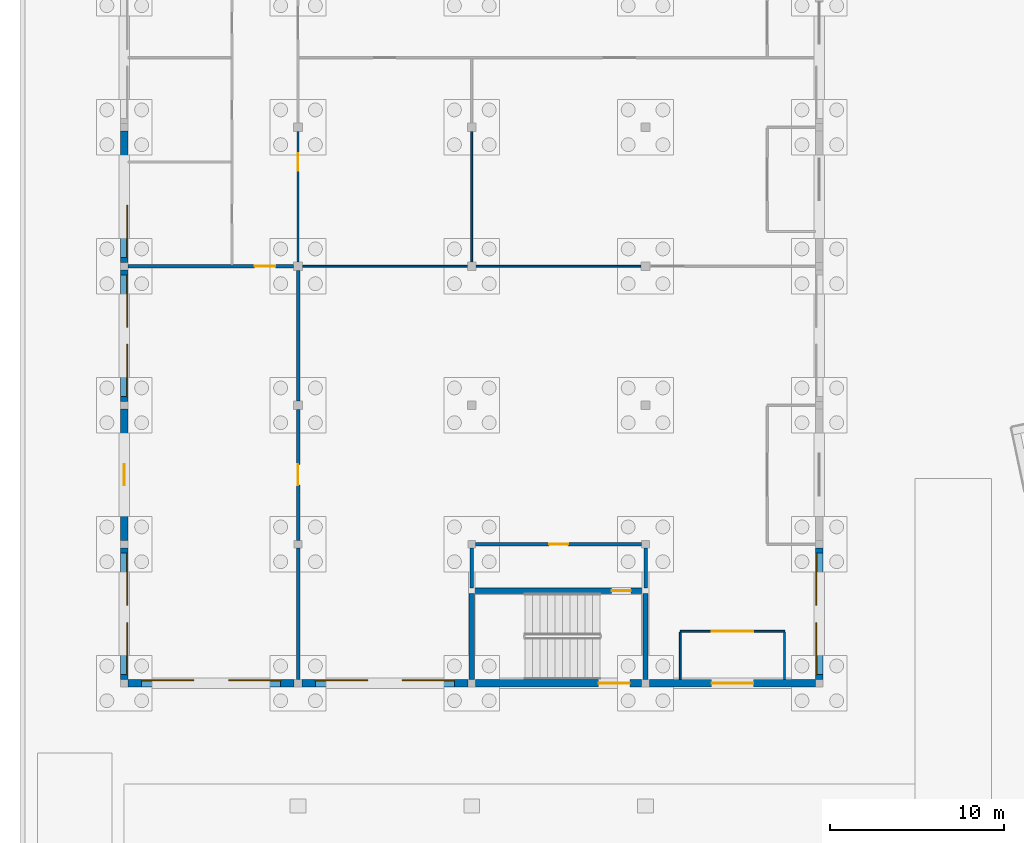
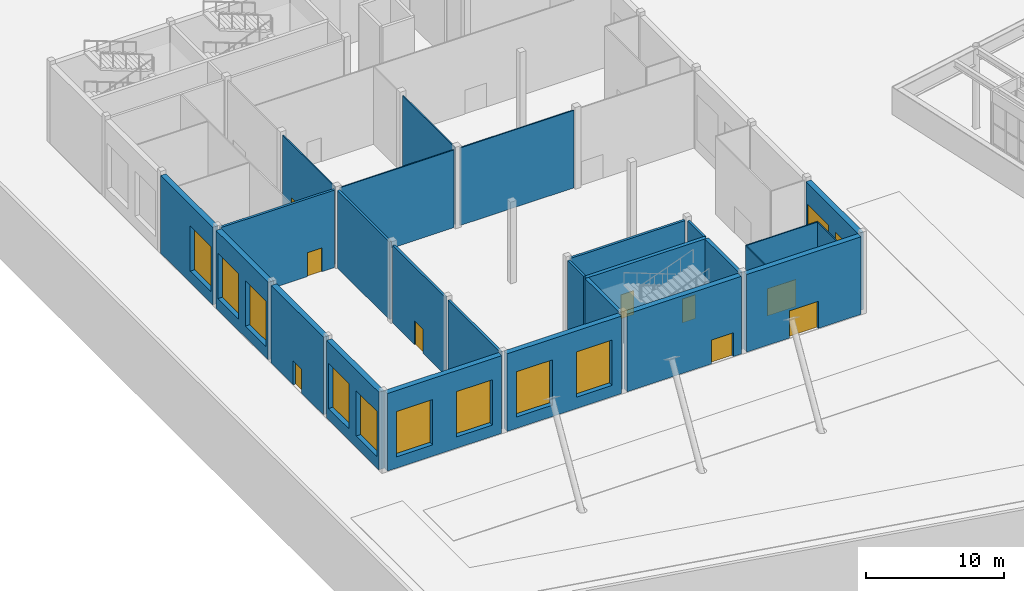
# One storey, part 164 of 239: 26 walls, 11 windows, 9 doors, 20 openings.
"""IFC4 building model written with IfcOpenShell, lengths in metres."""

import ifcopenshell
import ifcopenshell.guid

model = None  # the IFC model being written
_history = None  # IfcOwnerHistory: only IFC2X3 demands one
_inside = {}  # id of a spatial element -> (the spatial element, [elements in it])
_under = {}  # id of a project, library or spatial element -> (it, [spatial elements below it])
_declared = {}  # id of a project -> (the project, [libraries it declares])
_typed = {}  # id of a type object -> (the type object, [elements of that type])
_made_of = {}  # id of a material, layer set ... -> (it, [elements and type objects made of it])


def new_model(schema):
    """Start an empty IFC model of exactly this schema.

    Asked for "IFC4X3", IfcOpenShell would pick the latest addendum, in which some entities
    have other attributes; the version numbers below select the first issue.
    IFC2X3 requires an IfcOwnerHistory on every rooted entity: one is made here for all.
    """
    global model, _history
    if schema == "IFC4X3":
        model = ifcopenshell.file(schema_version=(4, 3, 0, 0))
    else:
        model = ifcopenshell.file(schema=schema)
    _inside.clear()
    _under.clear()
    _declared.clear()
    _typed.clear()
    _made_of.clear()
    _history = None
    if model.schema == "IFC2X3":
        org = make("IfcOrganization", Name="unknown")
        user = make(
            "IfcPersonAndOrganization",
            ThePerson=make("IfcPerson", FamilyName="unknown"),
            TheOrganization=org,
        )
        app = make(
            "IfcApplication",
            ApplicationDeveloper=org,
            Version="unknown",
            ApplicationFullName="unknown",
            ApplicationIdentifier="unknown",
        )
        _history = make(
            "IfcOwnerHistory",
            OwningUser=user,
            OwningApplication=app,
            ChangeAction="ADDED",
            CreationDate=0,
        )
    return model


def make(cls, **values):
    """One entity of the class cls with the attributes given. An attribute that is None is left unset."""
    return model.create_entity(
        cls, **{name: value for name, value in values.items() if value is not None}
    )


def rooted(cls, **values):
    """An entity with a GlobalId (a new one), such as an element, a storey or a relation."""
    return make(cls, GlobalId=ifcopenshell.guid.new(), OwnerHistory=_history, **values)


def si_unit(unit_type, name, prefix=None):
    """IfcSIUnit, for example si_unit("LENGTHUNIT", "METRE", prefix="MILLI")."""
    return make("IfcSIUnit", UnitType=unit_type, Prefix=prefix, Name=name)


def assignment(units):
    """IfcUnitAssignment: the units of a project."""
    return None if units is None else make("IfcUnitAssignment", Units=units)


def point(xyz):
    """IfcCartesianPoint."""
    return None if xyz is None else make("IfcCartesianPoint", Coordinates=xyz)


def direction(xyz):
    """IfcDirection."""
    return None if xyz is None else make("IfcDirection", DirectionRatios=xyz)


def frame(location, z_axis=None, x_axis=None):
    """IfcAxis2Placement3D, a coordinate frame: its origin and axes. An axis left out is left unset."""
    return make(
        "IfcAxis2Placement3D",
        Location=point(location),
        Axis=direction(z_axis),
        RefDirection=direction(x_axis),
    )


def frame_2d(location, x_axis=None):
    """IfcAxis2Placement2D, a coordinate frame in the plane: its origin and x axis."""
    return make(
        "IfcAxis2Placement2D", Location=point(location), RefDirection=direction(x_axis)
    )


def origin():
    """The frame at (0, 0, 0) with its axes left unset."""
    return frame((0.0, 0.0, 0.0))


def place(relative_to, where):
    """IfcLocalPlacement: puts the frame where relative to a parent placement (None: the world)."""
    return make(
        "IfcLocalPlacement", PlacementRelTo=relative_to, RelativePlacement=where
    )


def context(
    kind, dimensions, precision=None, world=None, true_north=None, identifier=None
):
    """IfcGeometricRepresentationContext, for example the 3D "Model" context."""
    return make(
        "IfcGeometricRepresentationContext",
        ContextIdentifier=identifier,
        ContextType=kind,
        CoordinateSpaceDimension=dimensions,
        Precision=precision,
        WorldCoordinateSystem=world,
        TrueNorth=true_north,
    )


def subcontext(parent, identifier, kind, view, scale=None):
    """IfcGeometricRepresentationSubContext, for example "Body" below "Model"."""
    return make(
        "IfcGeometricRepresentationSubContext",
        ContextIdentifier=identifier,
        ContextType=kind,
        ParentContext=parent,
        TargetScale=scale,
        TargetView=view,
    )


def project(units=None, contexts=None):
    """IfcProject with its units and contexts."""
    return rooted(
        "IfcProject",
        Name="project",
        RepresentationContexts=contexts,
        UnitsInContext=assignment(units),
    )


def spatial(cls, under=None, at=None, **own):
    """A site, building, storey or space (cls), placed at a placement, below another one or the project."""
    s = rooted(cls, ObjectPlacement=at, **own)
    if under is not None:
        _under.setdefault(under.id(), (under, []))[1].append(s)
    return s


def profile(cls, at=None, kind="AREA", **sizes):
    """A parametric profile (cls). Its sizes go by their IFC names, for example OverallWidth=200.0."""
    return make(cls, ProfileType=kind, Position=at, **sizes)


def rectangle(**sizes):
    """IfcRectangleProfileDef."""
    return profile("IfcRectangleProfileDef", **sizes)


def extrude(swept, where, along, depth):
    """IfcExtrudedAreaSolid: the profile swept, set in the frame where, extruded along a direction by depth."""
    return make(
        "IfcExtrudedAreaSolid",
        SweptArea=swept,
        Position=where,
        ExtrudedDirection=direction(along),
        Depth=depth,
    )


def shape(context_of_items, identifier, shape_type, items):
    """IfcShapeRepresentation: the items that make up one representation, for example the "Body"."""
    return make(
        "IfcShapeRepresentation",
        ContextOfItems=context_of_items,
        RepresentationIdentifier=identifier,
        RepresentationType=shape_type,
        Items=items,
    )


def material(Name=None, Category=None):
    """IfcMaterial."""
    return make("IfcMaterial", Name=Name, Category=Category)


def layer(
    of_material, thickness, ventilated=None, Name=None, Category=None, Priority=None
):
    """IfcMaterialLayer: one layer of a wall or slab, of a material (None: an air gap)."""
    return make(
        "IfcMaterialLayer",
        Material=of_material,
        LayerThickness=thickness,
        IsVentilated=ventilated,
        Name=Name,
        Category=Category,
        Priority=Priority,
    )


def layer_set(layers, Name=None):
    """IfcMaterialLayerSet."""
    return make("IfcMaterialLayerSet", MaterialLayers=layers, LayerSetName=Name)


def made_of(thing, what):
    """Note that an element or type object is made of a material, layer set ...; save() writes the relation."""
    if what is not None:
        _made_of.setdefault(what.id(), (what, []))[1].append(thing)
    return thing


def type_object(cls, material=None, **own):
    """A type object (cls), such as IfcWallType, which elements share."""
    return made_of(rooted(cls, **own), material)


def element(
    cls,
    number,
    at=None,
    inside=None,
    cuts=None,
    type_object=None,
    material=None,
    context=None,
    identifier="Body",
    shape_type=None,
    held_by="IfcProductDefinitionShape",
    body=None,
    shapes=None,
    **own,
):
    """One element of the class cls, such as IfcWall. Its Tag is "e" and its number.

    at: its placement. inside: the storey or other place that contains it. cuts: it is an
    opening in that element (IfcRelVoidsElement). A single representation is given by context,
    identifier, shape_type and body (its items); several are given by shapes. held_by: the class
    of the entity that holds the representations. save() writes the other relations.
    """
    e = rooted(cls, Tag="e%d" % number, ObjectPlacement=at, **own)
    if body is not None:
        shapes = [shape(context, identifier, shape_type, body)]
    if shapes is not None:
        e.Representation = make(held_by, Representations=shapes)
    if inside is not None:
        _inside.setdefault(inside.id(), (inside, []))[1].append(e)
    if cuts is not None:
        rooted(
            "IfcRelVoidsElement", RelatingBuildingElement=cuts, RelatedOpeningElement=e
        )
    if type_object is not None:
        _typed.setdefault(type_object.id(), (type_object, []))[1].append(e)
    return made_of(e, material)


def fill(opening, filler):
    """IfcRelFillsElement: the door or window that sits in an opening."""
    return rooted(
        "IfcRelFillsElement",
        RelatingOpeningElement=opening,
        RelatedBuildingElement=filler,
    )


def aggregate(whole, parts):
    """IfcRelAggregates: a whole, such as a stair, and the parts it consists of."""
    return rooted("IfcRelAggregates", RelatingObject=whole, RelatedObjects=parts)


def save(model, path):
    """Write the relations noted so far, then the file.

    IfcRelAggregates (storeys below a building ...), IfcRelContainedInSpatialStructure (elements
    in a storey), IfcRelDefinesByType, IfcRelAssociatesMaterial and IfcRelDeclares: one each for
    every whole, place, type object, material and project.
    """
    for whole, parts in _under.values():
        aggregate(whole, parts)
    for where, things in _inside.values():
        rooted(
            "IfcRelContainedInSpatialStructure",
            RelatedElements=things,
            RelatingStructure=where,
        )
    for kind, things in _typed.values():
        rooted("IfcRelDefinesByType", RelatedObjects=things, RelatingType=kind)
    for what, things in _made_of.values():
        rooted("IfcRelAssociatesMaterial", RelatedObjects=things, RelatingMaterial=what)
    for by, libraries in _declared.values():
        rooted("IfcRelDeclares", RelatingContext=by, RelatedDefinitions=libraries)
    model.write(path)


model = new_model("IFC4")

# Units and contexts
model_context = context("Model", 3, precision=1e-05, world=origin(), true_north=direction((0.0, 1.0)))
body_context = subcontext(model_context, "Body", "Model", "MODEL_VIEW")
ifc_project = project(units=[si_unit("LENGTHUNIT", "METRE"), si_unit("AREAUNIT", "SQUARE_METRE"), si_unit("VOLUMEUNIT", "CUBIC_METRE"), si_unit("PLANEANGLEUNIT", "RADIAN"), si_unit("MASSUNIT", "GRAM", prefix="KILO")], contexts=[model_context])

# Site, building, storey
site_placement = place(None, origin())
site = spatial("IfcSite", under=ifc_project, at=site_placement, CompositionType="ELEMENT")
building_placement = place(site_placement, origin())
building = spatial("IfcBuilding", under=site, at=building_placement, Name="Okhra Congress Centre", CompositionType="ELEMENT")
storey_placement = place(building_placement, origin())
storey = spatial("IfcBuildingStorey", under=building, at=storey_placement, Name="L00", CompositionType="ELEMENT", Elevation=0.0)

# Wall, opening, door
ifc_material_1 = material(Name="Masonry blockwork (aerated concrete D500)", Category="masonry")
ifc_layer_1 = layer(ifc_material_1, 0.199951171875)
ifc_layer_set_1 = layer_set([ifc_layer_1], Name="Masonry block wall 200 EI 45")
wall_type_1 = type_object("IfcWallType", Name="Masonry block wall 200 EI 45", PredefinedType="SOLIDWALL", material=ifc_layer_set_1)
wall_1_placement = place(storey_placement, frame((26.22509765625, 44.0, 0.0), z_axis=(0.0, 0.0, 1.0), x_axis=(1.0, 0.0, 0.0)))
wall_1 = element("IfcWall", 1, at=wall_1_placement, inside=storey, type_object=wall_type_1, Name="RS.WALL.L00.7", PredefinedType="SOLIDWALL", context=body_context, shape_type="SweptSolid", body=[
    extrude(rectangle(XDim=9.5498046875, YDim=0.199951171875, at=frame_2d((4.77490234375, 0.0))), origin(), (0.0, 0.0, 1.0), 6.85009765625),
])
opening_1_placement = place(wall_1_placement, frame((4.22509765625, 0.0, 0.0)))
opening_1 = element("IfcOpeningElement", 2, at=opening_1_placement, cuts=wall_1, Name="Opening L00-174", PredefinedType="OPENING", context=body_context, shape_type="SweptSolid", body=[
    extrude(rectangle(XDim=1.10009765625, YDim=2.10009765625, at=frame_2d((0.550048828125, 1.050048828125))), frame((0.0, 0.10986328125, 0.0), z_axis=(0.0, -1.0, 0.0), x_axis=(1.0, 0.0, 0.0)), (0.0, 0.0, 1.0), 0.219970703125),
])
ifc_material_2 = material(Name="Steel fire door leaf in steel frame, intumescent seals", Category="steel")
door_type_1 = type_object("IfcDoorType", Name="Steel fire door 1100x2100 EI 30", OperationType="NOTDEFINED", PredefinedType="DOOR", material=ifc_material_2)
door_1_placement = place(opening_1_placement, frame((1.10009765625, 0.0, 0.0), z_axis=(0.0, 0.0, 1.0), x_axis=(-1.0, 0.0, 0.0)))
door_1 = element("IfcDoor", 3, at=door_1_placement, inside=storey, type_object=door_type_1, Name="Door L00-174", OperationType="SINGLE_SWING_RIGHT", OverallHeight=2.10009765625, OverallWidth=1.10009765625, PredefinedType="DOOR", context=body_context, shape_type="SweptSolid", body=[
    extrude(rectangle(XDim=1.10009765625, YDim=2.10009765625, at=frame_2d((0.550048828125, 1.050048828125))), frame((0.0, 0.02490234375, 0.0), z_axis=(0.0, -1.0, 0.0), x_axis=(1.0, 0.0, 0.0)), (0.0, 0.0, 1.0), 0.050048828125),
])
fill(opening_1, door_1)

wall_2_placement = place(storey_placement, frame((6.22509765625, 60.0, 0.0), z_axis=(0.0, 0.0, 1.0), x_axis=(1.0, 0.0, 0.0)))
wall_2 = element("IfcWall", 4, at=wall_2_placement, inside=storey, type_object=wall_type_1, Name="RS.WALL.L00.10", PredefinedType="SOLIDWALL", context=body_context, shape_type="SweptSolid", body=[
    extrude(rectangle(XDim=9.52490234375, YDim=0.199951171875, at=frame_2d((4.762451171875, 0.0))), origin(), (0.0, 0.0, 1.0), 6.85009765625),
])
opening_2_placement = place(wall_2_placement, frame((7.27490234375, 0.0, 0.0)))
opening_2 = element("IfcOpeningElement", 5, at=opening_2_placement, cuts=wall_2, Name="Opening L00-179", PredefinedType="OPENING", context=body_context, shape_type="SweptSolid", body=[
    extrude(rectangle(XDim=1.199951171875, YDim=2.10009765625, at=frame_2d((0.60009765625, 1.050048828125))), frame((0.0, 0.10986328125, 0.0), z_axis=(0.0, -1.0, 0.0), x_axis=(1.0, 0.0, 0.0)), (0.0, 0.0, 1.0), 0.219970703125),
])
door_type_2 = type_object("IfcDoorType", Name="Steel fire door 1200x2100 EI 30", OperationType="NOTDEFINED", PredefinedType="DOOR", material=ifc_material_2)
door_2_placement = place(opening_2_placement, origin())
door_2 = element("IfcDoor", 6, at=door_2_placement, inside=storey, type_object=door_type_2, Name="Door L00-179", OperationType="SINGLE_SWING_RIGHT", OverallHeight=2.10009765625, OverallWidth=1.199951171875, PredefinedType="DOOR", context=body_context, shape_type="SweptSolid", body=[
    extrude(rectangle(XDim=1.199951171875, YDim=2.10009765625, at=frame_2d((0.60009765625, 1.050048828125))), frame((0.0, 0.02490234375, 0.0), z_axis=(0.0, -1.0, 0.0), x_axis=(1.0, 0.0, 0.0)), (0.0, 0.0, 1.0), 0.050048828125),
])
fill(opening_2, door_2)

# Wall
wall_3_placement = place(storey_placement, frame((16.0, 36.22509765625, 0.0), z_axis=(0.0, 0.0, 1.0), x_axis=(0.0, 1.0, 0.0)))
element("IfcWall", 7, at=wall_3_placement, inside=storey, type_object=wall_type_1, Name="RS.WALL.L00.37", PredefinedType="SOLIDWALL", context=body_context, shape_type="SweptSolid", body=[
    extrude(rectangle(XDim=7.5498046875, YDim=0.199951171875, at=frame_2d((3.77490234375, 0.0))), origin(), (0.0, 0.0, 1.0), 6.85009765625),
])

# Wall, opening, door
wall_4_placement = place(storey_placement, frame((16.0, 44.22509765625, 0.0), z_axis=(0.0, 0.0, 1.0), x_axis=(0.0, 1.0, 0.0)))
wall_4 = element("IfcWall", 8, at=wall_4_placement, inside=storey, type_object=wall_type_1, Name="RS.WALL.L00.38", PredefinedType="SOLIDWALL", context=body_context, shape_type="SweptSolid", body=[
    extrude(rectangle(XDim=7.52490234375, YDim=0.199951171875, at=frame_2d((3.762451171875, 0.0))), origin(), (0.0, 0.0, 1.0), 6.85009765625),
])
opening_3_placement = place(wall_4_placement, frame((3.175048828125, 0.0, 0.0)))
opening_3 = element("IfcOpeningElement", 9, at=opening_3_placement, cuts=wall_4, Name="Opening L00-180", PredefinedType="OPENING", context=body_context, shape_type="SweptSolid", body=[
    extrude(rectangle(XDim=1.199951171875, YDim=2.10009765625, at=frame_2d((0.60009765625, 1.050048828125))), frame((0.0, 0.10986328125, 0.0), z_axis=(0.0, -1.0, 0.0), x_axis=(1.0, 0.0, 0.0)), (0.0, 0.0, 1.0), 0.219970703125),
])
door_3_placement = place(opening_3_placement, frame((1.199951171875, 0.0, 0.0), z_axis=(0.0, 0.0, 1.0), x_axis=(-1.0, 0.0, 0.0)))
door_3 = element("IfcDoor", 10, at=door_3_placement, inside=storey, type_object=door_type_2, Name="Door L00-180", OperationType="SINGLE_SWING_RIGHT", OverallHeight=2.10009765625, OverallWidth=1.199951171875, PredefinedType="DOOR", context=body_context, shape_type="SweptSolid", body=[
    extrude(rectangle(XDim=1.199951171875, YDim=2.10009765625, at=frame_2d((0.60009765625, 1.050048828125))), frame((0.0, 0.02490234375, 0.0), z_axis=(0.0, -1.0, 0.0), x_axis=(1.0, 0.0, 0.0)), (0.0, 0.0, 1.0), 0.050048828125),
])
fill(opening_3, door_3)

# Walls
wall_5_placement = place(storey_placement, frame((16.0, 52.25, 0.0), z_axis=(0.0, 0.0, 1.0), x_axis=(0.0, 1.0, 0.0)))
element("IfcWall", 11, at=wall_5_placement, inside=storey, type_object=wall_type_1, Name="RS.WALL.L00.39", PredefinedType="SOLIDWALL", context=body_context, shape_type="SweptSolid", body=[
    extrude(rectangle(XDim=7.5, YDim=0.199951171875, at=frame_2d((3.75, 0.0))), origin(), (0.0, 0.0, 1.0), 6.85009765625),
])
for number, where, z_axis, x_axis, name in (
    (12, (26.0, 41.47509765625, 0.0), (0.0, 0.0, 1.0), (0.0, 1.0, 0.0), "RS.WALL.L00.45"),
    (13, (36.0, 41.47509765625, 0.0), (0.0, 0.0, 1.0), (0.0, 1.0, 0.0), "RS.WALL.L00.53"),
):
    element("IfcWall", number, at=place(storey_placement, frame(where, z_axis=z_axis, x_axis=x_axis)), inside=storey, type_object=wall_type_1, Name=name, PredefinedType="SOLIDWALL", context=body_context, shape_type="SweptSolid", body=[
        extrude(rectangle(XDim=2.2998046875, YDim=0.199951171875, at=frame_2d((1.14990234375, 0.0))), origin(), (0.0, 0.0, 1.0), 6.85009765625),
    ])

# Wall, opening, door
ifc_material_3 = material(Name="Gypsum board on steel studs", Category="steel")
ifc_layer_2 = layer(ifc_material_3, 0.10009765625)
ifc_layer_set_2 = layer_set([ifc_layer_2], Name="Partition 100 EI 15")
wall_type_2 = type_object("IfcWallType", Name="Partition 100 EI 15", PredefinedType="PARTITIONING", material=ifc_layer_set_2)
wall_6_placement = place(storey_placement, frame((38.0, 39.0, 0.0), z_axis=(0.0, 0.0, 1.0), x_axis=(1.0, 0.0, 0.0)))
wall_6 = element("IfcWall", 14, at=wall_6_placement, inside=storey, type_object=wall_type_2, Name="RS.WALL.L00.5", PredefinedType="PARTITIONING", context=body_context, shape_type="SweptSolid", body=[
    extrude(rectangle(XDim=6.0, YDim=0.10009765625, at=frame_2d((3.0, 0.0))), origin(), (0.0, 0.0, 1.0), 6.85009765625),
])
opening_4_placement = place(wall_6_placement, frame((1.800048828125, 0.0, 0.0)))
opening_4 = element("IfcOpeningElement", 15, at=opening_4_placement, cuts=wall_6, Name="Opening L00-188", PredefinedType="OPENING", context=body_context, shape_type="SweptSolid", body=[
    extrude(rectangle(XDim=2.39990234375, YDim=2.39990234375, at=frame_2d((1.199951171875, 1.199951171875))), frame((0.0, 0.06005859375, 0.0), z_axis=(0.0, -1.0, 0.0), x_axis=(1.0, 0.0, 0.0)), (0.0, 0.0, 1.0), 0.1201171875),
])
ifc_material_4 = material(Name="Aluminium-framed toughened glass door leaves", Category="aluminium")
door_type_3 = type_object("IfcDoorType", Name="Aluminium glazed door pair 2400x2400", OperationType="NOTDEFINED", PredefinedType="DOOR", material=ifc_material_4)
door_4_placement = place(opening_4_placement, frame((2.39990234375, 0.0, 0.0), z_axis=(0.0, 0.0, 1.0), x_axis=(-1.0, 0.0, 0.0)))
door_4 = element("IfcDoor", 16, at=door_4_placement, inside=storey, type_object=door_type_3, Name="Door L00-188", OperationType="DOUBLE_DOOR_SINGLE_SWING", OverallHeight=2.39990234375, OverallWidth=2.39990234375, PredefinedType="DOOR", context=body_context, shape_type="SweptSolid", body=[
    extrude(rectangle(XDim=2.39990234375, YDim=2.39990234375, at=frame_2d((1.199951171875, 1.199951171875))), frame((0.0, 0.02490234375, 0.0), z_axis=(0.0, -1.0, 0.0), x_axis=(1.0, 0.0, 0.0)), (0.0, 0.0, 1.0), 0.050048828125),
])
fill(opening_4, door_4)

# Walls
for number, where, z_axis, x_axis, name in (
    (17, (16.25, 60.0, 0.0), (0.0, 0.0, 1.0), (1.0, 0.0, 0.0), "RS.WALL.L00.11"),
    (18, (26.25, 60.0, 0.0), (0.0, 0.0, 1.0), (1.0, 0.0, 0.0), "RS.WALL.L00.12"),
):
    element("IfcWall", number, at=place(storey_placement, frame(where, z_axis=z_axis, x_axis=x_axis)), inside=storey, type_object=wall_type_2, Name=name, PredefinedType="PARTITIONING", context=body_context, shape_type="SweptSolid", body=[
        extrude(rectangle(XDim=9.5, YDim=0.10009765625, at=frame_2d((4.75, 0.0))), origin(), (0.0, 0.0, 1.0), 6.85009765625),
    ])

# Wall, opening, door
wall_7_placement = place(storey_placement, frame((16.0, 60.25, 0.0), z_axis=(0.0, 0.0, 1.0), x_axis=(0.0, 1.0, 0.0)))
wall_7 = element("IfcWall", 19, at=wall_7_placement, inside=storey, type_object=wall_type_2, Name="RS.WALL.L00.40", PredefinedType="PARTITIONING", context=body_context, shape_type="SweptSolid", body=[
    extrude(rectangle(XDim=7.5, YDim=0.10009765625, at=frame_2d((3.75, 0.0))), origin(), (0.0, 0.0, 1.0), 6.85009765625),
])
opening_5_placement = place(wall_7_placement, frame((5.25, 0.0, 0.0)))
opening_5 = element("IfcOpeningElement", 20, at=opening_5_placement, cuts=wall_7, Name="Opening L00-181", PredefinedType="OPENING", context=body_context, shape_type="SweptSolid", body=[
    extrude(rectangle(XDim=1.0, YDim=2.10009765625, at=frame_2d((0.5, 1.050048828125))), frame((0.0, 0.06005859375, 0.0), z_axis=(0.0, -1.0, 0.0), x_axis=(1.0, 0.0, 0.0)), (0.0, 0.0, 1.0), 0.1201171875),
])
ifc_material_5 = material(Name="Timber door leaf in steel frame", Category="steel")
door_type_4 = type_object("IfcDoorType", Name="Single swing door 1000x2100", OperationType="NOTDEFINED", PredefinedType="DOOR", material=ifc_material_5)
door_5_placement = place(opening_5_placement, origin())
door_5 = element("IfcDoor", 21, at=door_5_placement, inside=storey, type_object=door_type_4, Name="Door L00-181", OperationType="SINGLE_SWING_RIGHT", OverallHeight=2.10009765625, OverallWidth=1.0, PredefinedType="DOOR", context=body_context, shape_type="SweptSolid", body=[
    extrude(rectangle(XDim=1.0, YDim=2.10009765625, at=frame_2d((0.5, 1.050048828125))), frame((0.0, 0.02490234375, 0.0), z_axis=(0.0, -1.0, 0.0), x_axis=(1.0, 0.0, 0.0)), (0.0, 0.0, 1.0), 0.050048828125),
])
fill(opening_5, door_5)

# Walls
wall_8_placement = place(storey_placement, frame((26.0, 60.25, 0.0), z_axis=(0.0, 0.0, 1.0), x_axis=(0.0, 1.0, 0.0)))
element("IfcWall", 22, at=wall_8_placement, inside=storey, type_object=wall_type_2, Name="RS.WALL.L00.46", PredefinedType="PARTITIONING", context=body_context, shape_type="SweptSolid", body=[
    extrude(rectangle(XDim=7.5, YDim=0.10009765625, at=frame_2d((3.75, 0.0))), origin(), (0.0, 0.0, 1.0), 6.85009765625),
])
for number, where, z_axis, x_axis, name in (
    (23, (38.0, 36.22509765625, 0.0), (0.0, 0.0, 1.0), (0.0, 1.0, 0.0), "RS.WALL.L00.56"),
    (24, (44.0, 36.22509765625, 0.0), (0.0, 0.0, 1.0), (0.0, 1.0, 0.0), "RS.WALL.L00.60"),
):
    element("IfcWall", number, at=place(storey_placement, frame(where, z_axis=z_axis, x_axis=x_axis)), inside=storey, type_object=wall_type_2, Name=name, PredefinedType="PARTITIONING", context=body_context, shape_type="SweptSolid", body=[
        extrude(rectangle(XDim=2.724853515625, YDim=0.10009765625, at=frame_2d((1.3623046875, 0.0))), origin(), (0.0, 0.0, 1.0), 6.85009765625),
    ])

# Wall, opening, door
ifc_material_6 = material(Name="Concrete C35/45", Category="concrete")
ifc_layer_3 = layer(ifc_material_6, 0.300048828125)
ifc_layer_set_3 = layer_set([ifc_layer_3], Name="RC core wall 300 REI 120 C35/45")
wall_type_3 = type_object("IfcWallType", Name="RC core wall 300 REI 120 C35/45", PredefinedType="SHEAR", material=ifc_layer_set_3)
wall_9_placement = place(storey_placement, frame((26.0, 41.324951171875, 0.0), z_axis=(0.0, 0.0, 1.0), x_axis=(1.0, 0.0, 0.0)))
wall_9 = element("IfcWall", 25, at=wall_9_placement, inside=storey, type_object=wall_type_3, Name="RS.WALL.L00.6", PredefinedType="SHEAR", context=body_context, shape_type="SweptSolid", body=[
    extrude(rectangle(XDim=10.0, YDim=0.300048828125, at=frame_2d((5.0, 0.0))), origin(), (0.0, 0.0, 1.0), 6.85009765625),
])
opening_6_placement = place(wall_9_placement, frame((8.050048828125, 0.0, 0.0)))
opening_6 = element("IfcOpeningElement", 26, at=opening_6_placement, cuts=wall_9, Name="Opening L00-175", PredefinedType="OPENING", context=body_context, shape_type="SweptSolid", body=[
    extrude(rectangle(XDim=1.10009765625, YDim=2.10009765625, at=frame_2d((0.550048828125, 1.050048828125))), frame((0.0, 0.159912109375, 0.0), z_axis=(0.0, -1.0, 0.0), x_axis=(1.0, 0.0, 0.0)), (0.0, 0.0, 1.0), 0.320068359375),
])
door_6_placement = place(opening_6_placement, frame((1.10009765625, 0.0, 0.0), z_axis=(0.0, 0.0, 1.0), x_axis=(-1.0, 0.0, 0.0)))
door_6 = element("IfcDoor", 27, at=door_6_placement, inside=storey, type_object=door_type_1, Name="Door L00-175", OperationType="SINGLE_SWING_LEFT", OverallHeight=2.10009765625, OverallWidth=1.10009765625, PredefinedType="DOOR", context=body_context, shape_type="SweptSolid", body=[
    extrude(rectangle(XDim=1.10009765625, YDim=2.10009765625, at=frame_2d((0.550048828125, 1.050048828125))), frame((0.0, 0.02490234375, 0.0), z_axis=(0.0, -1.0, 0.0), x_axis=(1.0, 0.0, 0.0)), (0.0, 0.0, 1.0), 0.050048828125),
])
fill(opening_6, door_6)

# Walls
for number, where, z_axis, x_axis, name in (
    (28, (26.0, 36.22509765625, 0.0), (0.0, 0.0, 1.0), (0.0, 1.0, 0.0), "RS.WALL.L00.44"),
    (29, (36.0, 36.22509765625, 0.0), (0.0, 0.0, 1.0), (0.0, 1.0, 0.0), "RS.WALL.L00.52"),
):
    element("IfcWall", number, at=place(storey_placement, frame(where, z_axis=z_axis, x_axis=x_axis)), inside=storey, type_object=wall_type_3, Name=name, PredefinedType="SHEAR", context=body_context, shape_type="SweptSolid", body=[
        extrude(rectangle(XDim=4.949951171875, YDim=0.300048828125, at=frame_2d((2.47509765625, 0.0))), origin(), (0.0, 0.0, 1.0), 6.85009765625),
    ])

# Wall, opening, door
ifc_material_7 = material(Name="Concrete C30/37", Category="concrete")
ifc_layer_4 = layer(ifc_material_7, 0.449951171875)
ifc_layer_set_4 = layer_set([ifc_layer_4], Name="RC facade wall 450 REI 120 C30/37")
wall_type_4 = type_object("IfcWallType", Name="RC facade wall 450 REI 120 C30/37", PredefinedType="SOLIDWALL", material=ifc_layer_set_4)
wall_10_placement = place(storey_placement, frame((26.22509765625, 36.0, 0.0), z_axis=(0.0, 0.0, 1.0), x_axis=(1.0, 0.0, 0.0)))
wall_10 = element("IfcWall", 30, at=wall_10_placement, inside=storey, type_object=wall_type_4, Name="RS.WALL.L00.3", PredefinedType="SOLIDWALL", context=body_context, shape_type="SweptSolid", body=[
    extrude(rectangle(XDim=9.5498046875, YDim=0.449951171875, at=frame_2d((4.77490234375, 0.0))), origin(), (0.0, 0.0, 1.0), 6.85009765625),
])
opening_7_placement = place(wall_10_placement, frame((7.074951171875, 0.0, 0.0)))
opening_7 = element("IfcOpeningElement", 31, at=opening_7_placement, cuts=wall_10, Name="Opening L00-197", PredefinedType="OPENING", context=body_context, shape_type="SweptSolid", body=[
    extrude(rectangle(XDim=1.800048828125, YDim=2.10009765625, at=frame_2d((0.89990234375, 1.050048828125))), frame((0.0, 0.23486328125, 0.0), z_axis=(0.0, -1.0, 0.0), x_axis=(1.0, 0.0, 0.0)), (0.0, 0.0, 1.0), 0.469970703125),
])
ifc_material_8 = material(Name="Steel fire door leaves in steel frame, intumescent seals", Category="steel")
door_type_5 = type_object("IfcDoorType", Name="Steel fire door pair 1800x2100 EI 30", OperationType="NOTDEFINED", PredefinedType="DOOR", material=ifc_material_8)
door_7_placement = place(opening_7_placement, frame((1.800048828125, 0.0, 0.0), z_axis=(0.0, 0.0, 1.0), x_axis=(-1.0, 0.0, 0.0)))
door_7 = element("IfcDoor", 32, at=door_7_placement, inside=storey, type_object=door_type_5, Name="Door L00-197", OperationType="DOUBLE_DOOR_SINGLE_SWING", OverallHeight=2.10009765625, OverallWidth=1.800048828125, PredefinedType="DOOR", context=body_context, shape_type="SweptSolid", body=[
    extrude(rectangle(XDim=1.800048828125, YDim=2.10009765625, at=frame_2d((0.89990234375, 1.050048828125))), frame((0.0, 0.02490234375, 0.0), z_axis=(0.0, -1.0, 0.0), x_axis=(1.0, 0.0, 0.0)), (0.0, 0.0, 1.0), 0.050048828125),
])
fill(opening_7, door_7)

# Wall, openings, windows
ifc_material_9 = material(Name="Render on mineral wool insulation over masonry backing", Category="masonry")
ifc_layer_5 = layer(ifc_material_9, 0.449951171875)
ifc_layer_set_5 = layer_set([ifc_layer_5], Name="Rendered insulated wall 450")
wall_type_5 = type_object("IfcWallType", Name="Rendered insulated wall 450", PredefinedType="SOLIDWALL", material=ifc_layer_set_5)
wall_11_placement = place(storey_placement, frame((16.22509765625, 36.0, 0.0), z_axis=(0.0, 0.0, 1.0), x_axis=(1.0, 0.0, 0.0)))
wall_11 = element("IfcWall", 33, at=wall_11_placement, inside=storey, type_object=wall_type_5, Name="RS.WALL.L00.2", PredefinedType="SOLIDWALL", context=body_context, shape_type="SweptSolid", body=[
    extrude(rectangle(XDim=9.5498046875, YDim=0.449951171875, at=frame_2d((4.77490234375, 0.0))), origin(), (0.0, 0.0, 1.0), 6.85009765625),
])
opening_8_placement = place(wall_11_placement, frame((0.77490234375, 0.0, 1.0)))
opening_8 = element("IfcOpeningElement", 34, at=opening_8_placement, cuts=wall_11, Name="Opening WN12", PredefinedType="OPENING", context=body_context, shape_type="SweptSolid", body=[
    extrude(rectangle(XDim=3.0, YDim=4.0, at=frame_2d((1.5, 2.0))), frame((0.0, 0.23486328125, 0.0), z_axis=(0.0, -1.0, 0.0), x_axis=(1.0, 0.0, 0.0)), (0.0, 0.0, 1.0), 0.469970703125),
])
opening_9_placement = place(wall_11_placement, frame((5.77490234375, 0.0, 1.0)))
opening_9 = element("IfcOpeningElement", 35, at=opening_9_placement, cuts=wall_11, Name="Opening WN12", PredefinedType="OPENING", context=body_context, shape_type="SweptSolid", body=[
    extrude(rectangle(XDim=3.0, YDim=4.0, at=frame_2d((1.5, 2.0))), frame((0.0, 0.23486328125, 0.0), z_axis=(0.0, -1.0, 0.0), x_axis=(1.0, 0.0, 0.0)), (0.0, 0.0, 1.0), 0.469970703125),
])
ifc_material_10 = material(Name="Thermally broken aluminium frame, triple glazing", Category="aluminium")
window_type = type_object("IfcWindowType", Name="Fixed window 3000x4000", PartitioningType="SINGLE_PANEL", PredefinedType="WINDOW", material=ifc_material_10)
window_1_placement = place(opening_8_placement, origin())
window_1 = element("IfcWindow", 36, at=window_1_placement, inside=storey, type_object=window_type, Name="RS.WIN.L00.3", OverallHeight=4.0, OverallWidth=3.0, PartitioningType="SINGLE_PANEL", PredefinedType="WINDOW", context=body_context, shape_type="SweptSolid", body=[
    extrude(rectangle(XDim=3.0, YDim=4.0, at=frame_2d((1.5, 2.0))), frame((0.0, 0.215087890625, 0.0), z_axis=(0.0, -1.0, 0.0), x_axis=(1.0, 0.0, 0.0)), (0.0, 0.0, 1.0), 0.06005859375),
])
fill(opening_8, window_1)
window_2_placement = place(opening_9_placement, origin())
window_2 = element("IfcWindow", 37, at=window_2_placement, inside=storey, type_object=window_type, Name="RS.WIN.L00.4", OverallHeight=4.0, OverallWidth=3.0, PartitioningType="SINGLE_PANEL", PredefinedType="WINDOW", context=body_context, shape_type="SweptSolid", body=[
    extrude(rectangle(XDim=3.0, YDim=4.0, at=frame_2d((1.5, 2.0))), frame((0.0, 0.215087890625, 0.0), z_axis=(0.0, -1.0, 0.0), x_axis=(1.0, 0.0, 0.0)), (0.0, 0.0, 1.0), 0.06005859375),
])
fill(opening_9, window_2)

# Wall, opening, door
wall_12_placement = place(storey_placement, frame((36.22509765625, 36.0, 0.0), z_axis=(0.0, 0.0, 1.0), x_axis=(1.0, 0.0, 0.0)))
wall_12 = element("IfcWall", 38, at=wall_12_placement, inside=storey, type_object=wall_type_5, Name="RS.WALL.L00.4", PredefinedType="SOLIDWALL", context=body_context, shape_type="SweptSolid", body=[
    extrude(rectangle(XDim=9.5498046875, YDim=0.449951171875, at=frame_2d((4.77490234375, 0.0))), origin(), (0.0, 0.0, 1.0), 6.85009765625),
])
opening_10_placement = place(wall_12_placement, frame((3.574951171875, 0.0, 0.0)))
opening_10 = element("IfcOpeningElement", 39, at=opening_10_placement, cuts=wall_12, Name="Opening L00-189", PredefinedType="OPENING", context=body_context, shape_type="SweptSolid", body=[
    extrude(rectangle(XDim=2.39990234375, YDim=2.39990234375, at=frame_2d((1.199951171875, 1.199951171875))), frame((0.0, 0.23486328125, 0.0), z_axis=(0.0, -1.0, 0.0), x_axis=(1.0, 0.0, 0.0)), (0.0, 0.0, 1.0), 0.469970703125),
])
door_8_placement = place(opening_10_placement, frame((2.39990234375, 0.0, 0.0), z_axis=(0.0, 0.0, 1.0), x_axis=(-1.0, 0.0, 0.0)))
door_8 = element("IfcDoor", 40, at=door_8_placement, inside=storey, type_object=door_type_3, Name="Door L00-189", OperationType="DOUBLE_DOOR_SINGLE_SWING", OverallHeight=2.39990234375, OverallWidth=2.39990234375, PredefinedType="DOOR", context=body_context, shape_type="SweptSolid", body=[
    extrude(rectangle(XDim=2.39990234375, YDim=2.39990234375, at=frame_2d((1.199951171875, 1.199951171875))), frame((0.0, 0.02490234375, 0.0), z_axis=(0.0, -1.0, 0.0), x_axis=(1.0, 0.0, 0.0)), (0.0, 0.0, 1.0), 0.050048828125),
])
fill(opening_10, door_8)

# Wall, opening, window
wall_13_placement = place(storey_placement, frame((6.0, 67.77490234375, 0.0), z_axis=(0.0, 0.0, 1.0), x_axis=(0.0, -1.0, 0.0)))
wall_13 = element("IfcWall", 41, at=wall_13_placement, inside=storey, type_object=wall_type_5, Name="RS.WALL.L00.33", PredefinedType="SOLIDWALL", context=body_context, shape_type="SweptSolid", body=[
    extrude(rectangle(XDim=7.5498046875, YDim=0.449951171875, at=frame_2d((3.77490234375, 0.0))), origin(), (0.0, 0.0, 1.0), 6.85009765625),
])
opening_11_placement = place(wall_13_placement, frame((4.27490234375, 0.0, 1.0)))
opening_11 = element("IfcOpeningElement", 42, at=opening_11_placement, cuts=wall_13, Name="Opening WN12", PredefinedType="OPENING", context=body_context, shape_type="SweptSolid", body=[
    extrude(rectangle(XDim=3.0, YDim=4.0, at=frame_2d((1.5, 2.0))), frame((0.0, 0.23486328125, 0.0), z_axis=(0.0, -1.0, 0.0), x_axis=(1.0, 0.0, 0.0)), (0.0, 0.0, 1.0), 0.469970703125),
])
window_3_placement = place(opening_11_placement, origin())
window_3 = element("IfcWindow", 43, at=window_3_placement, inside=storey, type_object=window_type, Name="RS.WIN.L00.11", OverallHeight=4.0, OverallWidth=3.0, PartitioningType="SINGLE_PANEL", PredefinedType="WINDOW", context=body_context, shape_type="SweptSolid", body=[
    extrude(rectangle(XDim=3.0, YDim=4.0, at=frame_2d((1.5, 2.0))), frame((0.0, 0.215087890625, 0.0), z_axis=(0.0, -1.0, 0.0), x_axis=(1.0, 0.0, 0.0)), (0.0, 0.0, 1.0), 0.06005859375),
])
fill(opening_11, window_3)

# Wall, openings, windows
wall_14_placement = place(storey_placement, frame((46.0, 36.22509765625, 0.0), z_axis=(0.0, 0.0, 1.0), x_axis=(0.0, 1.0, 0.0)))
wall_14 = element("IfcWall", 44, at=wall_14_placement, inside=storey, type_object=wall_type_5, Name="RS.WALL.L00.61", PredefinedType="SOLIDWALL", context=body_context, shape_type="SweptSolid", body=[
    extrude(rectangle(XDim=7.5498046875, YDim=0.449951171875, at=frame_2d((3.77490234375, 0.0))), origin(), (0.0, 0.0, 1.0), 6.85009765625),
])
opening_12_placement = place(wall_14_placement, frame((0.27490234375, 0.0, 1.0)))
opening_12 = element("IfcOpeningElement", 45, at=opening_12_placement, cuts=wall_14, Name="Opening WN12", PredefinedType="OPENING", context=body_context, shape_type="SweptSolid", body=[
    extrude(rectangle(XDim=3.0, YDim=4.0, at=frame_2d((1.5, 2.0))), frame((0.0, 0.23486328125, 0.0), z_axis=(0.0, -1.0, 0.0), x_axis=(1.0, 0.0, 0.0)), (0.0, 0.0, 1.0), 0.469970703125),
])
opening_13_placement = place(wall_14_placement, frame((4.27490234375, 0.0, 1.0)))
opening_13 = element("IfcOpeningElement", 46, at=opening_13_placement, cuts=wall_14, Name="Opening WN12", PredefinedType="OPENING", context=body_context, shape_type="SweptSolid", body=[
    extrude(rectangle(XDim=3.0, YDim=4.0, at=frame_2d((1.5, 2.0))), frame((0.0, 0.23486328125, 0.0), z_axis=(0.0, -1.0, 0.0), x_axis=(1.0, 0.0, 0.0)), (0.0, 0.0, 1.0), 0.469970703125),
])
window_4_placement = place(opening_12_placement, origin())
window_4 = element("IfcWindow", 47, at=window_4_placement, inside=storey, type_object=window_type, Name="RS.WIN.L00.14", OverallHeight=4.0, OverallWidth=3.0, PartitioningType="SINGLE_PANEL", PredefinedType="WINDOW", context=body_context, shape_type="SweptSolid", body=[
    extrude(rectangle(XDim=3.0, YDim=4.0, at=frame_2d((1.5, 2.0))), frame((0.0, 0.215087890625, 0.0), z_axis=(0.0, -1.0, 0.0), x_axis=(1.0, 0.0, 0.0)), (0.0, 0.0, 1.0), 0.06005859375),
])
fill(opening_12, window_4)
window_5_placement = place(opening_13_placement, origin())
window_5 = element("IfcWindow", 48, at=window_5_placement, inside=storey, type_object=window_type, Name="RS.WIN.L00.15", OverallHeight=4.0, OverallWidth=3.0, PartitioningType="SINGLE_PANEL", PredefinedType="WINDOW", context=body_context, shape_type="SweptSolid", body=[
    extrude(rectangle(XDim=3.0, YDim=4.0, at=frame_2d((1.5, 2.0))), frame((0.0, 0.215087890625, 0.0), z_axis=(0.0, -1.0, 0.0), x_axis=(1.0, 0.0, 0.0)), (0.0, 0.0, 1.0), 0.06005859375),
])
fill(opening_13, window_5)

ifc_layer_6 = layer(ifc_material_9, 0.449951171875)
ifc_layer_set_6 = layer_set([ifc_layer_6], Name="Rendered insulated wall 450 EI 45")
wall_type_6 = type_object("IfcWallType", Name="Rendered insulated wall 450 EI 45", PredefinedType="SOLIDWALL", material=ifc_layer_set_6)
wall_15_placement = place(storey_placement, frame((6.22509765625, 36.0, 0.0), z_axis=(0.0, 0.0, 1.0), x_axis=(1.0, 0.0, 0.0)))
wall_15 = element("IfcWall", 49, at=wall_15_placement, inside=storey, type_object=wall_type_6, Name="RS.WALL.L00.1", PredefinedType="SOLIDWALL", context=body_context, shape_type="SweptSolid", body=[
    extrude(rectangle(XDim=9.5498046875, YDim=0.449951171875, at=frame_2d((4.77490234375, 0.0))), origin(), (0.0, 0.0, 1.0), 6.85009765625),
])
opening_14_placement = place(wall_15_placement, frame((0.77490234375, 0.0, 1.0)))
opening_14 = element("IfcOpeningElement", 50, at=opening_14_placement, cuts=wall_15, Name="Opening WN12", PredefinedType="OPENING", context=body_context, shape_type="SweptSolid", body=[
    extrude(rectangle(XDim=3.0, YDim=4.0, at=frame_2d((1.5, 2.0))), frame((0.0, 0.23486328125, 0.0), z_axis=(0.0, -1.0, 0.0), x_axis=(1.0, 0.0, 0.0)), (0.0, 0.0, 1.0), 0.469970703125),
])
opening_15_placement = place(wall_15_placement, frame((5.77490234375, 0.0, 1.0)))
opening_15 = element("IfcOpeningElement", 51, at=opening_15_placement, cuts=wall_15, Name="Opening WN12", PredefinedType="OPENING", context=body_context, shape_type="SweptSolid", body=[
    extrude(rectangle(XDim=3.0, YDim=4.0, at=frame_2d((1.5, 2.0))), frame((0.0, 0.23486328125, 0.0), z_axis=(0.0, -1.0, 0.0), x_axis=(1.0, 0.0, 0.0)), (0.0, 0.0, 1.0), 0.469970703125),
])
window_6_placement = place(opening_14_placement, origin())
window_6 = element("IfcWindow", 52, at=window_6_placement, inside=storey, type_object=window_type, Name="RS.WIN.L00.1", OverallHeight=4.0, OverallWidth=3.0, PartitioningType="SINGLE_PANEL", PredefinedType="WINDOW", context=body_context, shape_type="SweptSolid", body=[
    extrude(rectangle(XDim=3.0, YDim=4.0, at=frame_2d((1.5, 2.0))), frame((0.0, 0.215087890625, 0.0), z_axis=(0.0, -1.0, 0.0), x_axis=(1.0, 0.0, 0.0)), (0.0, 0.0, 1.0), 0.06005859375),
])
fill(opening_14, window_6)
window_7_placement = place(opening_15_placement, origin())
window_7 = element("IfcWindow", 53, at=window_7_placement, inside=storey, type_object=window_type, Name="RS.WIN.L00.2", OverallHeight=4.0, OverallWidth=3.0, PartitioningType="SINGLE_PANEL", PredefinedType="WINDOW", context=body_context, shape_type="SweptSolid", body=[
    extrude(rectangle(XDim=3.0, YDim=4.0, at=frame_2d((1.5, 2.0))), frame((0.0, 0.215087890625, 0.0), z_axis=(0.0, -1.0, 0.0), x_axis=(1.0, 0.0, 0.0)), (0.0, 0.0, 1.0), 0.06005859375),
])
fill(opening_15, window_7)

wall_16_placement = place(storey_placement, frame((6.0, 43.77490234375, 0.0), z_axis=(0.0, 0.0, 1.0), x_axis=(0.0, -1.0, 0.0)))
wall_16 = element("IfcWall", 54, at=wall_16_placement, inside=storey, type_object=wall_type_6, Name="RS.WALL.L00.30", PredefinedType="SOLIDWALL", context=body_context, shape_type="SweptSolid", body=[
    extrude(rectangle(XDim=7.5498046875, YDim=0.449951171875, at=frame_2d((3.77490234375, 0.0))), origin(), (0.0, 0.0, 1.0), 6.85009765625),
])
opening_16_placement = place(wall_16_placement, frame((4.27490234375, 0.0, 1.0)))
opening_16 = element("IfcOpeningElement", 55, at=opening_16_placement, cuts=wall_16, Name="Opening WN12", PredefinedType="OPENING", context=body_context, shape_type="SweptSolid", body=[
    extrude(rectangle(XDim=3.0, YDim=4.0, at=frame_2d((1.5, 2.0))), frame((0.0, 0.23486328125, 0.0), z_axis=(0.0, -1.0, 0.0), x_axis=(1.0, 0.0, 0.0)), (0.0, 0.0, 1.0), 0.469970703125),
])
opening_17_placement = place(wall_16_placement, frame((0.27490234375, 0.0, 1.0)))
opening_17 = element("IfcOpeningElement", 56, at=opening_17_placement, cuts=wall_16, Name="Opening WN12", PredefinedType="OPENING", context=body_context, shape_type="SweptSolid", body=[
    extrude(rectangle(XDim=3.0, YDim=4.0, at=frame_2d((1.5, 2.0))), frame((0.0, 0.23486328125, 0.0), z_axis=(0.0, -1.0, 0.0), x_axis=(1.0, 0.0, 0.0)), (0.0, 0.0, 1.0), 0.469970703125),
])
window_8_placement = place(opening_16_placement, origin())
window_8 = element("IfcWindow", 57, at=window_8_placement, inside=storey, type_object=window_type, Name="RS.WIN.L00.7", OverallHeight=4.0, OverallWidth=3.0, PartitioningType="SINGLE_PANEL", PredefinedType="WINDOW", context=body_context, shape_type="SweptSolid", body=[
    extrude(rectangle(XDim=3.0, YDim=4.0, at=frame_2d((1.5, 2.0))), frame((0.0, 0.215087890625, 0.0), z_axis=(0.0, -1.0, 0.0), x_axis=(1.0, 0.0, 0.0)), (0.0, 0.0, 1.0), 0.06005859375),
])
fill(opening_16, window_8)
window_9_placement = place(opening_17_placement, origin())
window_9 = element("IfcWindow", 58, at=window_9_placement, inside=storey, type_object=window_type, Name="RS.WIN.L00.8", OverallHeight=4.0, OverallWidth=3.0, PartitioningType="SINGLE_PANEL", PredefinedType="WINDOW", context=body_context, shape_type="SweptSolid", body=[
    extrude(rectangle(XDim=3.0, YDim=4.0, at=frame_2d((1.5, 2.0))), frame((0.0, 0.215087890625, 0.0), z_axis=(0.0, -1.0, 0.0), x_axis=(1.0, 0.0, 0.0)), (0.0, 0.0, 1.0), 0.06005859375),
])
fill(opening_17, window_9)

# Wall, opening, door
wall_17_placement = place(storey_placement, frame((6.0, 51.77490234375, 0.0), z_axis=(0.0, 0.0, 1.0), x_axis=(0.0, -1.0, 0.0)))
wall_17 = element("IfcWall", 59, at=wall_17_placement, inside=storey, type_object=wall_type_6, Name="RS.WALL.L00.31", PredefinedType="SOLIDWALL", context=body_context, shape_type="SweptSolid", body=[
    extrude(rectangle(XDim=7.5498046875, YDim=0.449951171875, at=frame_2d((3.77490234375, 0.0))), origin(), (0.0, 0.0, 1.0), 6.85009765625),
])
opening_18_placement = place(wall_17_placement, frame((3.175048828125, 0.0, 0.0)))
opening_18 = element("IfcOpeningElement", 60, at=opening_18_placement, cuts=wall_17, Name="Opening L00-198", PredefinedType="OPENING", context=body_context, shape_type="SweptSolid", body=[
    extrude(rectangle(XDim=1.199951171875, YDim=2.10009765625, at=frame_2d((0.60009765625, 1.050048828125))), frame((0.0, 0.23486328125, 0.0), z_axis=(0.0, -1.0, 0.0), x_axis=(1.0, 0.0, 0.0)), (0.0, 0.0, 1.0), 0.469970703125),
])
door_9_placement = place(opening_18_placement, frame((1.199951171875, 0.0, 0.0), z_axis=(0.0, 0.0, 1.0), x_axis=(-1.0, 0.0, 0.0)))
door_9 = element("IfcDoor", 61, at=door_9_placement, inside=storey, type_object=door_type_2, Name="Door L00-198", OperationType="SINGLE_SWING_RIGHT", OverallHeight=2.10009765625, OverallWidth=1.199951171875, PredefinedType="DOOR", context=body_context, shape_type="SweptSolid", body=[
    extrude(rectangle(XDim=1.199951171875, YDim=2.10009765625, at=frame_2d((0.60009765625, 1.050048828125))), frame((0.0, 0.02490234375, 0.0), z_axis=(0.0, -1.0, 0.0), x_axis=(1.0, 0.0, 0.0)), (0.0, 0.0, 1.0), 0.050048828125),
])
fill(opening_18, door_9)

# Wall, openings, windows
wall_18_placement = place(storey_placement, frame((6.0, 59.77490234375, 0.0), z_axis=(0.0, 0.0, 1.0), x_axis=(0.0, -1.0, 0.0)))
wall_18 = element("IfcWall", 62, at=wall_18_placement, inside=storey, type_object=wall_type_6, Name="RS.WALL.L00.32", PredefinedType="SOLIDWALL", context=body_context, shape_type="SweptSolid", body=[
    extrude(rectangle(XDim=7.5498046875, YDim=0.449951171875, at=frame_2d((3.77490234375, 0.0))), origin(), (0.0, 0.0, 1.0), 6.85009765625),
])
opening_19_placement = place(wall_18_placement, frame((4.27490234375, 0.0, 1.0)))
opening_19 = element("IfcOpeningElement", 63, at=opening_19_placement, cuts=wall_18, Name="Opening WN12", PredefinedType="OPENING", context=body_context, shape_type="SweptSolid", body=[
    extrude(rectangle(XDim=3.0, YDim=4.0, at=frame_2d((1.5, 2.0))), frame((0.0, 0.23486328125, 0.0), z_axis=(0.0, -1.0, 0.0), x_axis=(1.0, 0.0, 0.0)), (0.0, 0.0, 1.0), 0.469970703125),
])
opening_20_placement = place(wall_18_placement, frame((0.27490234375, 0.0, 1.0)))
opening_20 = element("IfcOpeningElement", 64, at=opening_20_placement, cuts=wall_18, Name="Opening WN12", PredefinedType="OPENING", context=body_context, shape_type="SweptSolid", body=[
    extrude(rectangle(XDim=3.0, YDim=4.0, at=frame_2d((1.5, 2.0))), frame((0.0, 0.23486328125, 0.0), z_axis=(0.0, -1.0, 0.0), x_axis=(1.0, 0.0, 0.0)), (0.0, 0.0, 1.0), 0.469970703125),
])
window_10_placement = place(opening_19_placement, origin())
window_10 = element("IfcWindow", 65, at=window_10_placement, inside=storey, type_object=window_type, Name="RS.WIN.L00.9", OverallHeight=4.0, OverallWidth=3.0, PartitioningType="SINGLE_PANEL", PredefinedType="WINDOW", context=body_context, shape_type="SweptSolid", body=[
    extrude(rectangle(XDim=3.0, YDim=4.0, at=frame_2d((1.5, 2.0))), frame((0.0, 0.215087890625, 0.0), z_axis=(0.0, -1.0, 0.0), x_axis=(1.0, 0.0, 0.0)), (0.0, 0.0, 1.0), 0.06005859375),
])
fill(opening_19, window_10)
window_11_placement = place(opening_20_placement, origin())
window_11 = element("IfcWindow", 66, at=window_11_placement, inside=storey, type_object=window_type, Name="RS.WIN.L00.10", OverallHeight=4.0, OverallWidth=3.0, PartitioningType="SINGLE_PANEL", PredefinedType="WINDOW", context=body_context, shape_type="SweptSolid", body=[
    extrude(rectangle(XDim=3.0, YDim=4.0, at=frame_2d((1.5, 2.0))), frame((0.0, 0.215087890625, 0.0), z_axis=(0.0, -1.0, 0.0), x_axis=(1.0, 0.0, 0.0)), (0.0, 0.0, 1.0), 0.06005859375),
])
fill(opening_20, window_11)

save(model, "model.ifc")
